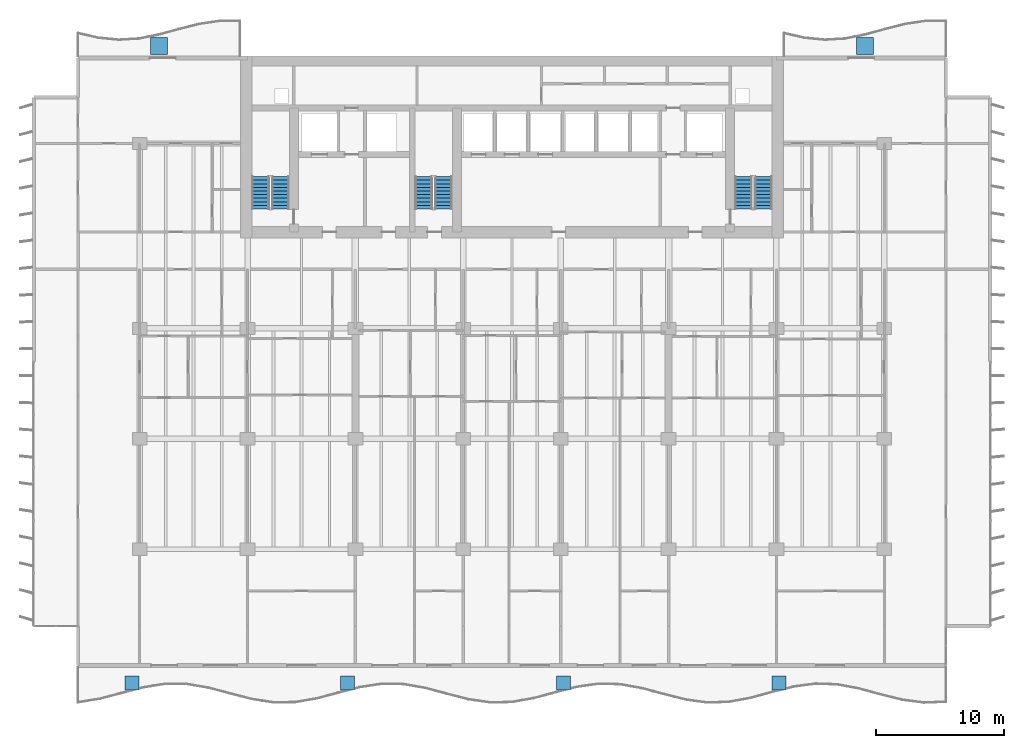
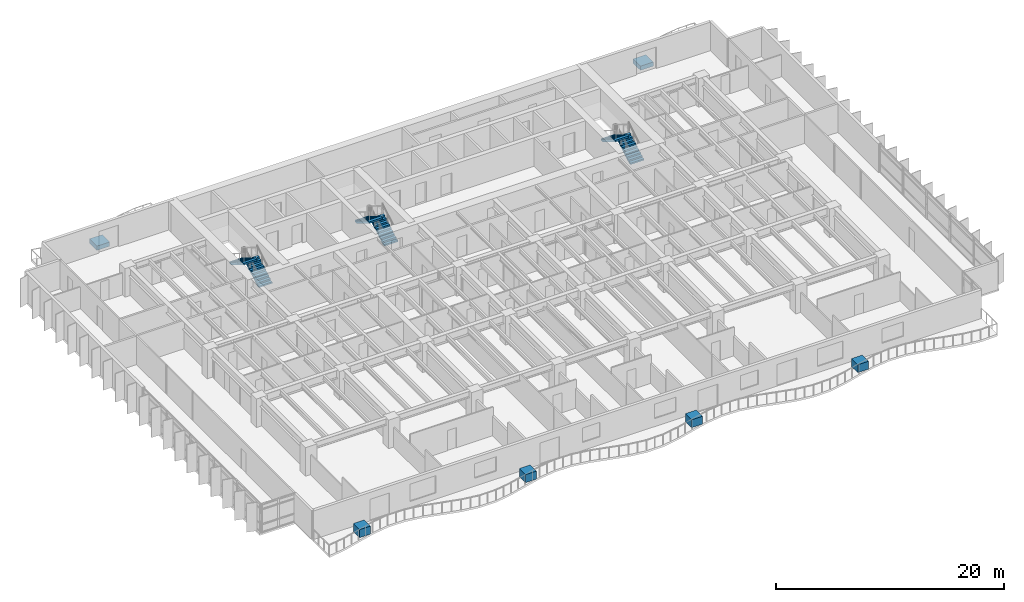
# One storey, part 14 of 18: 6 discrete accessories, 6 stair flights, 3 elements without a shape of their own.
"""IFC4 building model written with IfcOpenShell, lengths in metres."""

from ifc_helpers import new_model, si_unit, direction, frame, origin, origin_2d, place, context, subcontext, project, spatial, polyline, rectangle, outline, extrude, material, type_object, element, aggregate, save


model = new_model("IFC4")

# Units and contexts
model_context = context("Model", 3, precision=1e-05, world=origin(), true_north=direction((0.0, 1.0)))
body_context = subcontext(model_context, "Body", "Model", "MODEL_VIEW")
ifc_project = project(units=[si_unit("LENGTHUNIT", "METRE"), si_unit("AREAUNIT", "SQUARE_METRE"), si_unit("VOLUMEUNIT", "CUBIC_METRE"), si_unit("PLANEANGLEUNIT", "RADIAN"), si_unit("MASSUNIT", "GRAM", prefix="KILO")], contexts=[model_context])

# Site, building, storey
site_placement = place(None, origin())
site = spatial("IfcSite", under=ifc_project, at=site_placement, CompositionType="ELEMENT")
building_placement = place(site_placement, origin())
building = spatial("IfcBuilding", under=site, at=building_placement, Name="Caelmar Bay Residences", CompositionType="ELEMENT")
storey_placement = place(building_placement, frame((0.0, 0.0, 39.89990234375)))
storey = spatial("IfcBuildingStorey", under=building, at=storey_placement, Name="L09", CompositionType="ELEMENT", Elevation=39.89990234375)

# Stair, stair flights
ifc_material_1 = material(Name="Concrete f'c 40 MPa (6,000 psi)", Category="concrete")
stair_type = type_object("IfcStairType", Name="ST-TYP-165", PredefinedType="HALF_TURN_STAIR", material=ifc_material_1)
stair_1_placement = place(storey_placement, origin())
stair_1 = element("IfcStair", 1, at=stair_1_placement, inside=storey, type_object=stair_type, Name="L09 West Smokeproof Exit Stair ST1", PredefinedType="HALF_TURN_STAIR")
stair_flight_type = type_object("IfcStairFlightType", Name="STF-1350", PredefinedType="STRAIGHT", material=ifc_material_1)
stair_flight_1_placement = place(storey_placement, frame((20.875, 38.699951171875, 0.0), z_axis=(0.0, 0.0, 1.0), x_axis=(0.0, 1.0, 0.0)))
stair_flight_1 = element("IfcStairFlight", 2, at=stair_flight_1_placement, type_object=stair_flight_type, Name="ST1 flight 1", NumberOfRisers=10, NumberOfTreads=9, PredefinedType="STRAIGHT", RiserHeight=0.165, TreadLength=0.28, context=body_context, shape_type="SweptSolid", body=[
    extrude(outline(polyline([(0.0, 0.0), (0.0, 0.1650390625), (0.280029296875, 0.1650390625), (0.280029296875, 0.330078125), (0.56005859375, 0.330078125), (0.56005859375, 0.4951171875), (0.840087890625, 0.4951171875), (0.840087890625, 0.659912109375), (1.1201171875, 0.659912109375), (1.1201171875, 0.824951171875), (1.39990234375, 0.824951171875), (1.39990234375, 0.989990234375), (1.679931640625, 0.989990234375), (1.679931640625, 1.155029296875), (1.9599609375, 1.155029296875), (1.9599609375, 1.320068359375), (2.239990234375, 1.320068359375), (2.239990234375, 1.485107421875), (2.52001953125, 1.485107421875), (2.52001953125, 1.64990234375), (2.52001953125, 1.31103515625), (0.295166015625, 0.0), (0.0, 0.0)])), frame((0.0, 0.675048828125, 0.0), z_axis=(0.0, -1.0, 0.0), x_axis=(1.0, 0.0, 0.0)), (0.0, 0.0, 1.0), 1.35009765625),
])
stair_flight_2_placement = place(storey_placement, frame((19.324951171875, 41.219970703125, 1.650146484375), z_axis=(0.0, 0.0, 1.0), x_axis=(0.0, -1.0, 0.0)))
stair_flight_2 = element("IfcStairFlight", 3, at=stair_flight_2_placement, type_object=stair_flight_type, Name="ST1 flight 2", NumberOfRisers=10, NumberOfTreads=9, PredefinedType="STRAIGHT", RiserHeight=0.165, TreadLength=0.28, context=body_context, shape_type="SweptSolid", body=[
    extrude(outline(polyline([(0.0, 0.0), (0.0, 0.1650390625), (0.280029296875, 0.1650390625), (0.280029296875, 0.330078125), (0.56005859375, 0.330078125), (0.56005859375, 0.4951171875), (0.840087890625, 0.4951171875), (0.840087890625, 0.659912109375), (1.1201171875, 0.659912109375), (1.1201171875, 0.824951171875), (1.39990234375, 0.824951171875), (1.39990234375, 0.989990234375), (1.679931640625, 0.989990234375), (1.679931640625, 1.155029296875), (1.9599609375, 1.155029296875), (1.9599609375, 1.320068359375), (2.239990234375, 1.320068359375), (2.239990234375, 1.485107421875), (2.52001953125, 1.485107421875), (2.52001953125, 1.64990234375), (2.52001953125, 1.31103515625), (0.295166015625, 0.0), (0.0, 0.0)])), frame((0.0, 0.675048828125, 0.0), z_axis=(0.0, -1.0, 0.0), x_axis=(1.0, 0.0, 0.0)), (0.0, 0.0, 1.0), 1.35009765625),
])
aggregate(stair_1, [stair_flight_1, stair_flight_2])

stair_2_placement = place(storey_placement, origin())
stair_2 = element("IfcStair", 4, at=stair_2_placement, inside=storey, type_object=stair_type, Name="L09 East Smokeproof Exit Stair ST2", PredefinedType="HALF_TURN_STAIR")
stair_flight_3_placement = place(storey_placement, frame((58.47509765625, 38.699951171875, 0.0), z_axis=(0.0, 0.0, 1.0), x_axis=(0.0, 1.0, 0.0)))
stair_flight_3 = element("IfcStairFlight", 5, at=stair_flight_3_placement, type_object=stair_flight_type, Name="ST2 flight 1", NumberOfRisers=10, NumberOfTreads=9, PredefinedType="STRAIGHT", RiserHeight=0.165, TreadLength=0.28, context=body_context, shape_type="SweptSolid", body=[
    extrude(outline(polyline([(0.0, 0.0), (0.0, 0.1650390625), (0.280029296875, 0.1650390625), (0.280029296875, 0.330078125), (0.56005859375, 0.330078125), (0.56005859375, 0.4951171875), (0.840087890625, 0.4951171875), (0.840087890625, 0.659912109375), (1.1201171875, 0.659912109375), (1.1201171875, 0.824951171875), (1.39990234375, 0.824951171875), (1.39990234375, 0.989990234375), (1.679931640625, 0.989990234375), (1.679931640625, 1.155029296875), (1.9599609375, 1.155029296875), (1.9599609375, 1.320068359375), (2.239990234375, 1.320068359375), (2.239990234375, 1.485107421875), (2.52001953125, 1.485107421875), (2.52001953125, 1.64990234375), (2.52001953125, 1.31103515625), (0.295166015625, 0.0), (0.0, 0.0)])), frame((0.0, 0.675048828125, 0.0), z_axis=(0.0, -1.0, 0.0), x_axis=(1.0, 0.0, 0.0)), (0.0, 0.0, 1.0), 1.35009765625),
])
stair_flight_4_placement = place(storey_placement, frame((56.925048828125, 41.219970703125, 1.650146484375), z_axis=(0.0, 0.0, 1.0), x_axis=(0.0, -1.0, 0.0)))
stair_flight_4 = element("IfcStairFlight", 6, at=stair_flight_4_placement, type_object=stair_flight_type, Name="ST2 flight 2", NumberOfRisers=10, NumberOfTreads=9, PredefinedType="STRAIGHT", RiserHeight=0.165, TreadLength=0.28, context=body_context, shape_type="SweptSolid", body=[
    extrude(outline(polyline([(0.0, 0.0), (0.0, 0.1650390625), (0.280029296875, 0.1650390625), (0.280029296875, 0.330078125), (0.56005859375, 0.330078125), (0.56005859375, 0.4951171875), (0.840087890625, 0.4951171875), (0.840087890625, 0.659912109375), (1.1201171875, 0.659912109375), (1.1201171875, 0.824951171875), (1.39990234375, 0.824951171875), (1.39990234375, 0.989990234375), (1.679931640625, 0.989990234375), (1.679931640625, 1.155029296875), (1.9599609375, 1.155029296875), (1.9599609375, 1.320068359375), (2.239990234375, 1.320068359375), (2.239990234375, 1.485107421875), (2.52001953125, 1.485107421875), (2.52001953125, 1.64990234375), (2.52001953125, 1.31103515625), (0.295166015625, 0.0), (0.0, 0.0)])), frame((0.0, 0.675048828125, 0.0), z_axis=(0.0, -1.0, 0.0), x_axis=(1.0, 0.0, 0.0)), (0.0, 0.0, 1.0), 1.35009765625),
])
aggregate(stair_2, [stair_flight_3, stair_flight_4])

stair_3_placement = place(storey_placement, origin())
stair_3 = element("IfcStair", 7, at=stair_3_placement, inside=storey, type_object=stair_type, Name="L09 Central Smokeproof Exit Stair ST3", PredefinedType="HALF_TURN_STAIR")
stair_flight_5_placement = place(storey_placement, frame((33.574951171875, 38.699951171875, 0.0), z_axis=(0.0, 0.0, 1.0), x_axis=(0.0, 1.0, 0.0)))
stair_flight_5 = element("IfcStairFlight", 8, at=stair_flight_5_placement, type_object=stair_flight_type, Name="ST3 flight 1", NumberOfRisers=10, NumberOfTreads=9, PredefinedType="STRAIGHT", RiserHeight=0.165, TreadLength=0.28, context=body_context, shape_type="SweptSolid", body=[
    extrude(outline(polyline([(0.0, 0.0), (0.0, 0.1650390625), (0.280029296875, 0.1650390625), (0.280029296875, 0.330078125), (0.56005859375, 0.330078125), (0.56005859375, 0.4951171875), (0.840087890625, 0.4951171875), (0.840087890625, 0.659912109375), (1.1201171875, 0.659912109375), (1.1201171875, 0.824951171875), (1.39990234375, 0.824951171875), (1.39990234375, 0.989990234375), (1.679931640625, 0.989990234375), (1.679931640625, 1.155029296875), (1.9599609375, 1.155029296875), (1.9599609375, 1.320068359375), (2.239990234375, 1.320068359375), (2.239990234375, 1.485107421875), (2.52001953125, 1.485107421875), (2.52001953125, 1.64990234375), (2.52001953125, 1.31103515625), (0.295166015625, 0.0), (0.0, 0.0)])), frame((0.0, 0.675048828125, 0.0), z_axis=(0.0, -1.0, 0.0), x_axis=(1.0, 0.0, 0.0)), (0.0, 0.0, 1.0), 1.35009765625),
])
stair_flight_6_placement = place(storey_placement, frame((32.02490234375, 41.219970703125, 1.650146484375), z_axis=(0.0, 0.0, 1.0), x_axis=(0.0, -1.0, 0.0)))
stair_flight_6 = element("IfcStairFlight", 9, at=stair_flight_6_placement, type_object=stair_flight_type, Name="ST3 flight 2", NumberOfRisers=10, NumberOfTreads=9, PredefinedType="STRAIGHT", RiserHeight=0.165, TreadLength=0.28, context=body_context, shape_type="SweptSolid", body=[
    extrude(outline(polyline([(0.0, 0.0), (0.0, 0.1650390625), (0.280029296875, 0.1650390625), (0.280029296875, 0.330078125), (0.56005859375, 0.330078125), (0.56005859375, 0.4951171875), (0.840087890625, 0.4951171875), (0.840087890625, 0.659912109375), (1.1201171875, 0.659912109375), (1.1201171875, 0.824951171875), (1.39990234375, 0.824951171875), (1.39990234375, 0.989990234375), (1.679931640625, 0.989990234375), (1.679931640625, 1.155029296875), (1.9599609375, 1.155029296875), (1.9599609375, 1.320068359375), (2.239990234375, 1.320068359375), (2.239990234375, 1.485107421875), (2.52001953125, 1.485107421875), (2.52001953125, 1.64990234375), (2.52001953125, 1.31103515625), (0.295166015625, 0.0), (0.0, 0.0)])), frame((0.0, 0.675048828125, 0.0), z_axis=(0.0, -1.0, 0.0), x_axis=(1.0, 0.0, 0.0)), (0.0, 0.0, 1.0), 1.35009765625),
])
aggregate(stair_3, [stair_flight_5, stair_flight_6])

# Discrete accessories
ifc_material_2 = material(Name="Architectural bronze GRC planter trough with volcanic-lapilli substrate")
discrete_accessory_type_1 = type_object("IfcDiscreteAccessoryType", Name="ACC-PLANTER-1100", PredefinedType="USERDEFINED", material=ifc_material_2)
for number, where, z_axis, x_axis, name in (
    (10, (9.300048828125, 1.78173828125, 0.0), (0.0, 0.0, 1.0), (1.0, 0.0, 0.0), "L09 Balcony Structural Tree Planter 1"),
    (11, (26.10009765625, 1.78173828125, 0.0), (0.0, 0.0, 1.0), (1.0, 0.0, 0.0), "L09 Balcony Structural Tree Planter 2"),
    (12, (42.89990234375, 1.78173828125, 0.0), (0.0, 0.0, 1.0), (1.0, 0.0, 0.0), "L09 Balcony Structural Tree Planter 3"),
    (13, (59.699951171875, 1.78173828125, 0.0), (0.0, 0.0, 1.0), (1.0, 0.0, 0.0), "L09 Balcony Structural Tree Planter 4"),
):
    element("IfcDiscreteAccessory", number, at=place(storey_placement, frame(where, z_axis=z_axis, x_axis=x_axis)), inside=storey, type_object=discrete_accessory_type_1, Name=name, ObjectType="PLANTER", PredefinedType="USERDEFINED", context=body_context, shape_type="SweptSolid", body=[
        extrude(rectangle(XDim=1.10009765625, YDim=1.10009765625, at=origin_2d()), origin(), (0.0, 0.0, 1.0), 0.85009765625),
    ])
ifc_material_3 = material(Name="Precast concrete f'c 40 MPa (6,000 psi)", Category="concrete")
discrete_accessory_type_2 = type_object("IfcDiscreteAccessoryType", Name="STR-PLANTER-KERB-450", PredefinedType="USERDEFINED", material=ifc_material_3)
for number, where, z_axis, x_axis, name in (
    (14, (11.39990234375, 51.39990234375, 0.0), (0.0, 0.0, 1.0), (1.0, 0.0, 0.0), "L09 north_west Structural Tree Planter Kerb"),
    (15, (66.39990234375, 51.39990234375, 0.0), (0.0, 0.0, 1.0), (1.0, 0.0, 0.0), "L09 north_east Structural Tree Planter Kerb"),
):
    element("IfcDiscreteAccessory", number, at=place(storey_placement, frame(where, z_axis=z_axis, x_axis=x_axis)), inside=storey, type_object=discrete_accessory_type_2, Name=name, ObjectType="PLANTER", PredefinedType="USERDEFINED", context=body_context, shape_type="SweptSolid", body=[
        extrude(rectangle(XDim=1.300048828125, YDim=1.300048828125, at=origin_2d()), origin(), (0.0, 0.0, 1.0), 0.449951171875),
    ])

save(model, "model.ifc")
